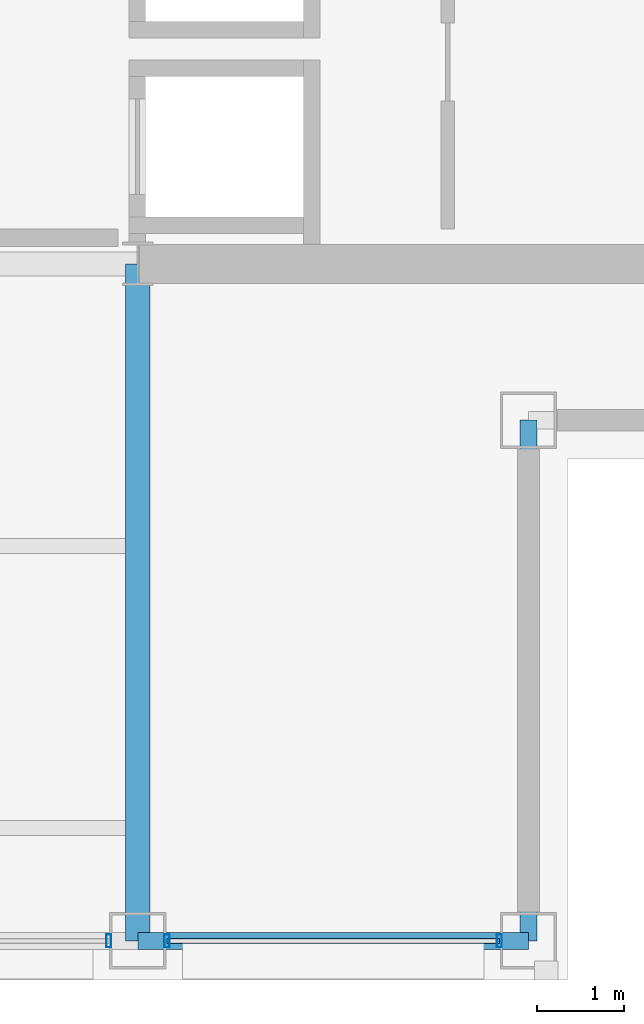
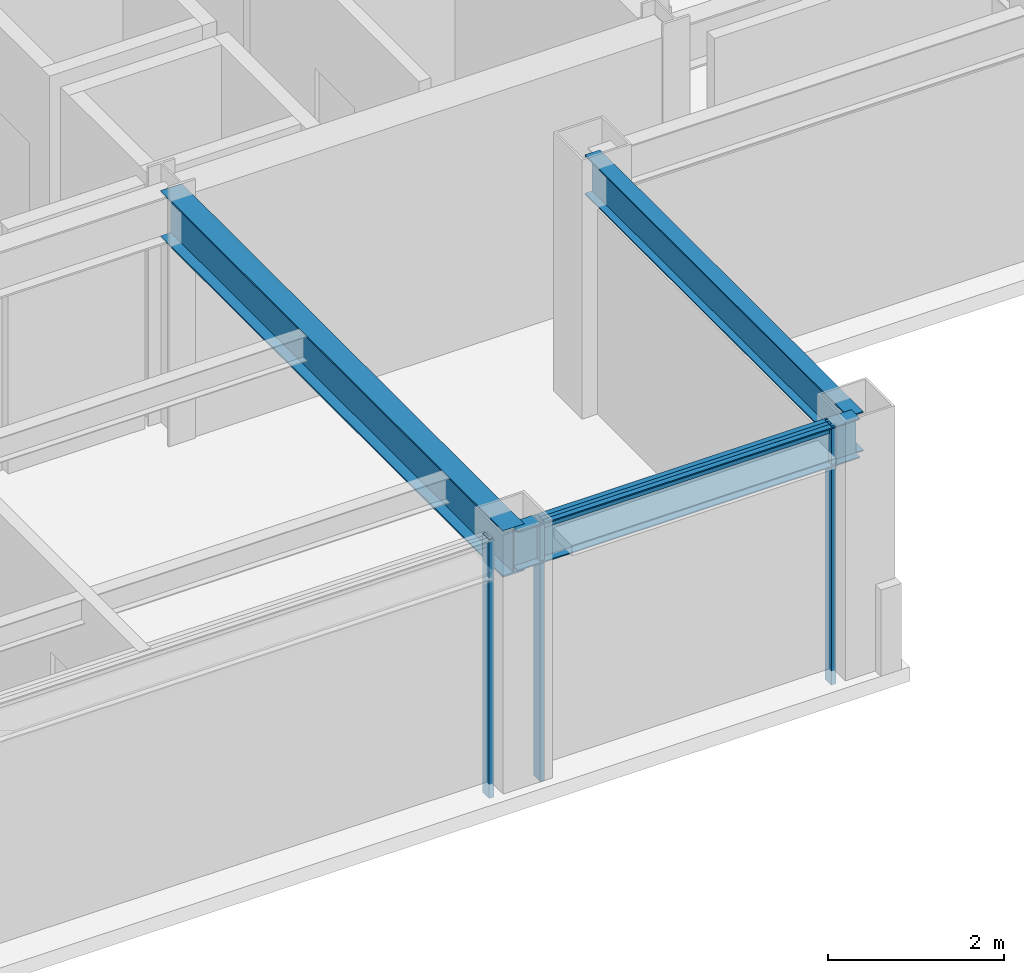
# One storey, part 4 of 20: 4 members, 3 beams, 2 elements without a shape of their own.
"""IFC4 building model written with IfcOpenShell, lengths in metres."""

from ifc_helpers import new_model, si_unit, direction, frame, origin, origin_2d, place, context, subcontext, project, spatial, hollow_rectangle, i_section, extrude, material, layer, layer_set, material_profile, profile_set, type_object, element, aggregate, save


model = new_model("IFC4")

# Units and contexts
model_context = context("Model", 3, precision=1e-05, world=origin(), true_north=direction((0.0, 1.0)))
body_context = subcontext(model_context, "Body", "Model", "MODEL_VIEW")
ifc_project = project(units=[si_unit("LENGTHUNIT", "METRE"), si_unit("AREAUNIT", "SQUARE_METRE"), si_unit("VOLUMEUNIT", "CUBIC_METRE"), si_unit("PLANEANGLEUNIT", "RADIAN"), si_unit("MASSUNIT", "GRAM", prefix="KILO")], contexts=[model_context])

# Site, building, storey
site_placement = place(None, origin())
site = spatial("IfcSite", under=ifc_project, at=site_placement, CompositionType="ELEMENT")
building_placement = place(site_placement, origin())
building = spatial("IfcBuilding", under=site, at=building_placement, Name="Brelmoor Portico Tower", CompositionType="ELEMENT")
storey_placement = place(building_placement, frame((0.0, 0.0, 218.39990234375)))
storey = spatial("IfcBuildingStorey", under=building, at=storey_placement, Name="L57", CompositionType="ELEMENT", Elevation=218.39990234375)

# Beams
ifc_material_1 = material(Name="Steel Q355B", Category="steel")
ifc_material_profile_1 = material_profile(ifc_material_1, i_section(OverallWidth=0.280029296875, OverallDepth=0.64990234375, WebThickness=0.012939453125, FlangeThickness=0.02197265625, at=origin_2d()), Name="HN 650x280x13x22")
ifc_profile_set_1 = profile_set([ifc_material_profile_1], Name="Steel Q355B")
beam_type_1 = type_object("IfcBeamType", Name="BM-PG-650", PredefinedType="BEAM", material=ifc_profile_set_1)
beam_1_placement = place(storey_placement, frame((8.050048828125, -17.550048828125, 3.0751953125), z_axis=(0.0, 1.0, 0.0), x_axis=(-1.0, 0.0, 0.0)))
element("IfcBeam", 1, at=beam_1_placement, inside=storey, type_object=beam_type_1, Name="L57 Primary Floor Girder PG-06", PredefinedType="BEAM", context=body_context, shape_type="SweptSolid", body=[
    extrude(i_section(OverallWidth=0.280029296875, OverallDepth=0.64990234375, WebThickness=0.012939453125, FlangeThickness=0.02197265625, at=origin_2d()), origin(), (0.0, 0.0, 1.0), 7.800048828125),
])
ifc_material_profile_2 = material_profile(ifc_material_1, i_section(OverallWidth=0.199951171875, OverallDepth=0.550048828125, WebThickness=0.010009765625, FlangeThickness=0.01611328125, at=origin_2d()), Name="HN 550x200x10x16")
ifc_profile_set_2 = profile_set([ifc_material_profile_2], Name="Steel Q355B")
beam_type_2 = type_object("IfcBeamType", Name="BM-SP-550", PredefinedType="SPANDREL", material=ifc_profile_set_2)
beam_2_placement = place(storey_placement, frame((8.050048828125, -17.550048828125, 3.125), z_axis=(1.0, 0.0, 0.0), x_axis=(0.0, 1.0, 0.0)))
element("IfcBeam", 2, at=beam_2_placement, inside=storey, type_object=beam_type_2, Name="L57 Perimeter Spandrel Beam SP-03", PredefinedType="SPANDREL", context=body_context, shape_type="SweptSolid", body=[
    extrude(i_section(OverallWidth=0.199951171875, OverallDepth=0.550048828125, WebThickness=0.010009765625, FlangeThickness=0.01611328125, at=origin_2d()), origin(), (0.0, 0.0, 1.0), 4.5),
])
beam_3_placement = place(storey_placement, frame((12.550048828125, -17.550048828125, 3.125), z_axis=(0.0, 1.0, 0.0), x_axis=(-1.0, 0.0, 0.0)))
element("IfcBeam", 3, at=beam_3_placement, inside=storey, type_object=beam_type_2, Name="L57 Perimeter Spandrel Beam SP-16", PredefinedType="SPANDREL", context=body_context, shape_type="SweptSolid", body=[
    extrude(i_section(OverallWidth=0.199951171875, OverallDepth=0.550048828125, WebThickness=0.010009765625, FlangeThickness=0.01611328125, at=origin_2d()), origin(), (0.0, 0.0, 1.0), 6.0),
])

# Curtain wall, member
ifc_material_2 = material(Name="Anodised Aluminium Alloy 6063-T6", Category="aluminium")
ifc_layer = layer(ifc_material_2, 0.179931640625)
ifc_layer_set = layer_set([ifc_layer], Name="Anodised Aluminium Alloy 6063-T6")
curtain_wall_type = type_object("IfcCurtainWallType", Name="CW-TOWER-Z4-XB", PredefinedType="NOTDEFINED", material=ifc_layer_set)
curtain_wall_1_placement = place(storey_placement, origin())
curtain_wall_1 = element("IfcCurtainWall", 4, at=curtain_wall_1_placement, inside=storey, type_object=curtain_wall_type, Name="L57 Curtain Wall CW-L57-01-2", PredefinedType="NOTDEFINED")
ifc_material_profile_3 = material_profile(ifc_material_2, hollow_rectangle(XDim=0.06005859375, YDim=0.14990234375, WallThickness=0.00390625, at=origin_2d()), Name="ALU MULLION 60x150")
ifc_profile_set_3 = profile_set([ifc_material_profile_3], Name="Anodised Aluminium Alloy 6063-T6")
member_type_1 = type_object("IfcMemberType", Name="MB-CW-MULL-150", PredefinedType="MULLION", material=ifc_profile_set_3)
member_1_placement = place(storey_placement, frame((7.715087890625, -17.550048828125, -0.199951171875), z_axis=(0.0, 0.0, 1.0), x_axis=(1.0, 0.0, 0.0)))
member_1 = element("IfcMember", 5, at=member_1_placement, type_object=member_type_1, Name="CW-L57-01-2 Mullion 01", PredefinedType="MULLION", context=body_context, shape_type="SweptSolid", body=[
    extrude(hollow_rectangle(XDim=0.06005859375, YDim=0.14990234375, WallThickness=0.00390625, at=origin_2d()), origin(), (0.0, 0.0, 1.0), 3.60009765625),
])
aggregate(curtain_wall_1, [member_1])

# Curtain wall, members
curtain_wall_2_placement = place(storey_placement, origin())
curtain_wall_2 = element("IfcCurtainWall", 6, at=curtain_wall_2_placement, inside=storey, type_object=curtain_wall_type, Name="L57 Curtain Wall CW-L57-01-3", PredefinedType="NOTDEFINED")
member_2_placement = place(storey_placement, frame((8.385009765625, -17.550048828125, -0.199951171875), z_axis=(0.0, 0.0, 1.0), x_axis=(1.0, 0.0, 0.0)))
member_2 = element("IfcMember", 7, at=member_2_placement, type_object=member_type_1, Name="CW-L57-01-3 Mullion 00", PredefinedType="MULLION", context=body_context, shape_type="SweptSolid", body=[
    extrude(hollow_rectangle(XDim=0.06005859375, YDim=0.14990234375, WallThickness=0.00390625, at=origin_2d()), origin(), (0.0, 0.0, 1.0), 3.60009765625),
])
member_3_placement = place(storey_placement, frame((12.215087890625, -17.550048828125, -0.199951171875), z_axis=(0.0, 0.0, 1.0), x_axis=(1.0, 0.0, 0.0)))
member_3 = element("IfcMember", 8, at=member_3_placement, type_object=member_type_1, Name="CW-L57-01-3 Mullion 01", PredefinedType="MULLION", context=body_context, shape_type="SweptSolid", body=[
    extrude(hollow_rectangle(XDim=0.06005859375, YDim=0.14990234375, WallThickness=0.00390625, at=origin_2d()), origin(), (0.0, 0.0, 1.0), 3.60009765625),
])
ifc_material_profile_4 = material_profile(ifc_material_2, hollow_rectangle(XDim=0.06005859375, YDim=0.125, WallThickness=0.00341796875, at=origin_2d()), Name="ALU TRANSOM 60x125")
ifc_profile_set_4 = profile_set([ifc_material_profile_4], Name="Anodised Aluminium Alloy 6063-T6")
member_type_2 = type_object("IfcMemberType", Name="MB-CW-TRAN-125", PredefinedType="USERDEFINED", material=ifc_profile_set_4)
member_4_placement = place(storey_placement, frame((8.385009765625, -17.550048828125, 3.337646484375), z_axis=(1.0, 0.0, 0.0), x_axis=(0.0, 1.0, 0.0)))
member_4 = element("IfcMember", 9, at=member_4_placement, type_object=member_type_2, Name="CW-L57-01-3 Transom 1-00", ObjectType="TRANSOM", PredefinedType="USERDEFINED", context=body_context, shape_type="SweptSolid", body=[
    extrude(hollow_rectangle(XDim=0.06005859375, YDim=0.125, WallThickness=0.00341796875, at=origin_2d()), origin(), (0.0, 0.0, 1.0), 3.830078125),
])
aggregate(curtain_wall_2, [member_2, member_3, member_4])

save(model, "model.ifc")
